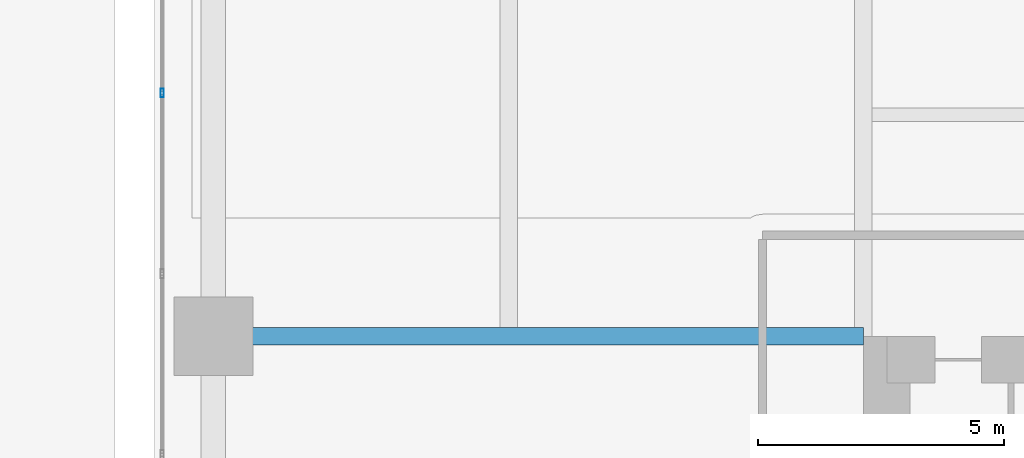
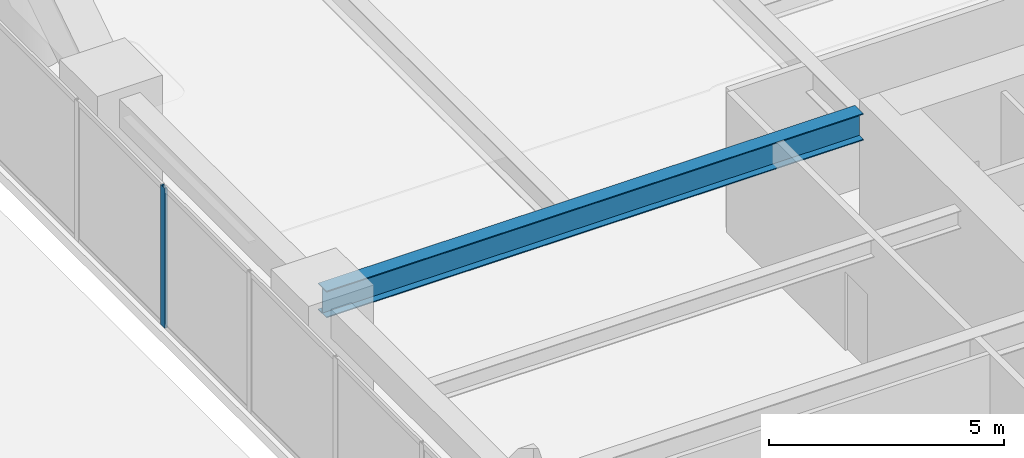
# One storey, part 5 of 38: 1 beam, 1 member, 1 element without a shape of its own.
"""IFC4 building model written with IfcOpenShell, lengths in metres."""

from ifc_helpers import new_model, si_unit, direction, frame, origin, origin_2d, place, context, subcontext, project, spatial, hollow_rectangle, i_section, extrude, material, layer, layer_set, material_profile, profile_set, type_object, element, aggregate, save


model = new_model("IFC4")

# Units and contexts
model_context = context("Model", 3, precision=1e-05, world=origin(), true_north=direction((0.0, 1.0)))
body_context = subcontext(model_context, "Body", "Model", "MODEL_VIEW")
ifc_project = project(units=[si_unit("LENGTHUNIT", "METRE"), si_unit("AREAUNIT", "SQUARE_METRE"), si_unit("VOLUMEUNIT", "CUBIC_METRE"), si_unit("PLANEANGLEUNIT", "RADIAN"), si_unit("MASSUNIT", "GRAM", prefix="KILO")], contexts=[model_context])

# Site, building, storey
site_placement = place(None, origin())
site = spatial("IfcSite", under=ifc_project, at=site_placement, CompositionType="ELEMENT")
building_placement = place(site_placement, origin())
building = spatial("IfcBuilding", under=site, at=building_placement, Name="Kiyonajd Concourse Tower", CompositionType="ELEMENT")
storey_placement = place(building_placement, frame((0.0, 0.0, 21.60009765625)))
storey = spatial("IfcBuildingStorey", under=building, at=storey_placement, Name="L06", CompositionType="ELEMENT", Elevation=21.60009765625)

# Beam
ifc_material_1 = material(Name="Steel ASTM A992 Grade 50", Category="steel")
ifc_material_profile_1 = material_profile(ifc_material_1, i_section(OverallWidth=0.35498046875, OverallDepth=0.695068359375, WebThickness=0.015380859375, FlangeThickness=0.02490234375, at=origin_2d()), Name="W690X217")
ifc_profile_set_1 = profile_set([ifc_material_profile_1], Name="Steel ASTM A992 Grade 50")
beam_type = type_object("IfcBeamType", Name="BM-TWR-690", PredefinedType="BEAM", material=ifc_profile_set_1)
beam_placement = place(storey_placement, frame((19.199951171875, 44.39990234375, 3.29248046875), z_axis=(1.0, 0.0, 0.0), x_axis=(0.0, 1.0, 0.0)))
element("IfcBeam", 1, at=beam_placement, inside=storey, type_object=beam_type, Name="L06 West Lease Girder", PredefinedType="BEAM", context=body_context, shape_type="SweptSolid", body=[
    extrude(i_section(OverallWidth=0.35498046875, OverallDepth=0.695068359375, WebThickness=0.015380859375, FlangeThickness=0.02490234375, at=origin_2d()), origin(), (0.0, 0.0, 1.0), 13.199951171875),
])

# Curtain wall, member
ifc_material_2 = material(Name="Thermally Broken Anodised Aluminium", Category="aluminium")
ifc_layer = layer(ifc_material_2, 0.179931640625)
ifc_layer_set = layer_set([ifc_layer], Name="Thermally Broken Anodised Aluminium")
curtain_wall_type = type_object("IfcCurtainWallType", Name="CW-SYS-02", PredefinedType="NOTDEFINED", material=ifc_layer_set)
curtain_wall_placement = place(storey_placement, origin())
curtain_wall = element("IfcCurtainWall", 2, at=curtain_wall_placement, inside=storey, type_object=curtain_wall_type, Name="L06 Unitised Curtain Wall CW2", PredefinedType="NOTDEFINED")
ifc_material_profile_2 = material_profile(ifc_material_2, hollow_rectangle(XDim=0.06494140625, YDim=0.179931640625, WallThickness=0.00390625, at=origin_2d()), Name="MULL-65x180")
ifc_profile_set_2 = profile_set([ifc_material_profile_2], Name="Thermally Broken Anodised Aluminium")
member_type = type_object("IfcMemberType", Name="MB-CW-MULL1", PredefinedType="MULLION", material=ifc_profile_set_2)
member_placement = place(storey_placement, frame((18.159912109375, 49.342529296875, 0.0), z_axis=(0.0, 0.0, 1.0), x_axis=(-1.0, 0.0, 0.0)))
member = element("IfcMember", 3, at=member_placement, type_object=member_type, Name="CW2 mullion 5", PredefinedType="MULLION", context=body_context, shape_type="SweptSolid", body=[
    extrude(hollow_rectangle(XDim=0.06494140625, YDim=0.179931640625, WallThickness=0.00390625, at=origin_2d()), origin(), (0.0, 0.0, 1.0), 3.639892578125),
])
aggregate(curtain_wall, [member])

save(model, "model.ifc")
